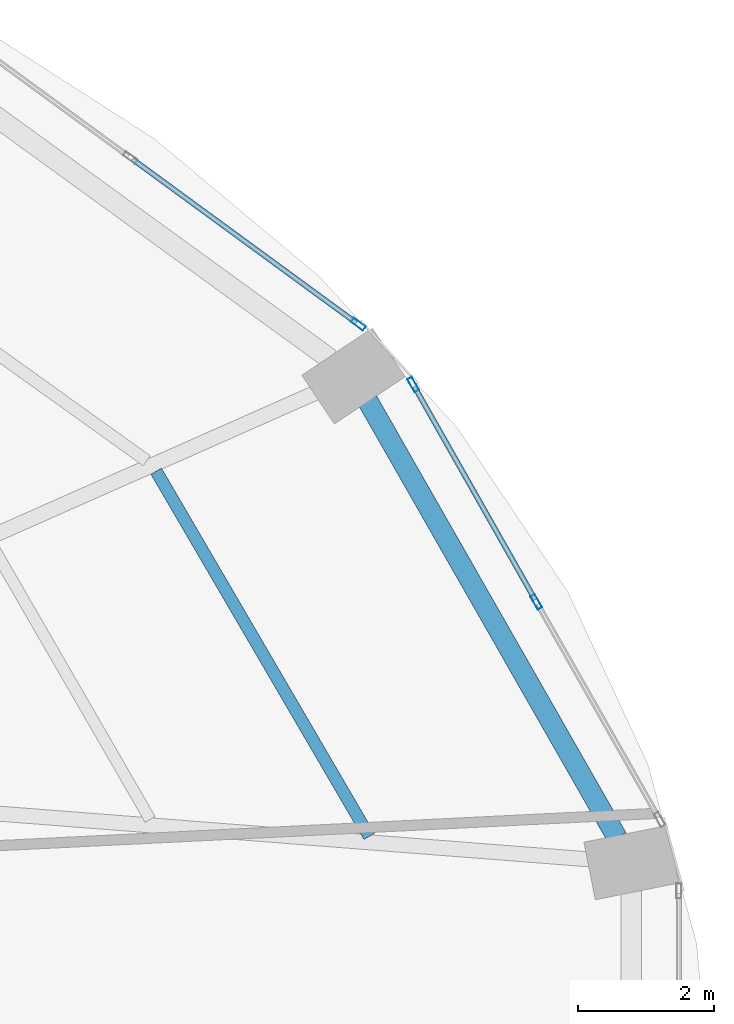
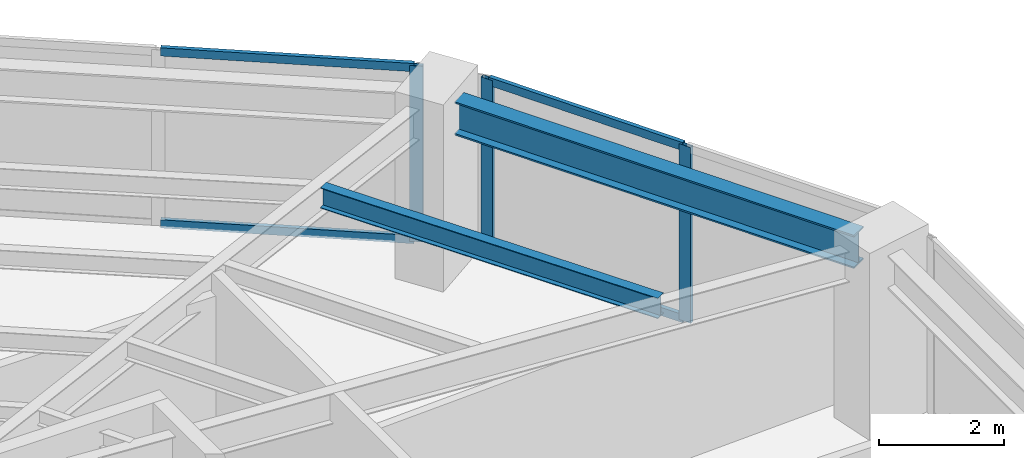
# One storey, part 18 of 24: 7 members, 2 beams, 2 elements without a shape of their own.
"""IFC4 building model written with IfcOpenShell, lengths in metres."""

from ifc_helpers import new_model, si_unit, direction, frame, origin, origin_2d, place, context, subcontext, project, spatial, hollow_rectangle, i_section, extrude, material, layer, layer_set, material_profile, profile_set, type_object, element, aggregate, save


model = new_model("IFC4")

# Units and contexts
model_context = context("Model", 3, precision=1e-05, world=origin(), true_north=direction((0.0, 1.0)))
body_context = subcontext(model_context, "Body", "Model", "MODEL_VIEW")
ifc_project = project(units=[si_unit("LENGTHUNIT", "METRE"), si_unit("AREAUNIT", "SQUARE_METRE"), si_unit("VOLUMEUNIT", "CUBIC_METRE"), si_unit("PLANEANGLEUNIT", "RADIAN"), si_unit("MASSUNIT", "GRAM", prefix="KILO")], contexts=[model_context])

# Site, building, storey
site_placement = place(None, origin())
site = spatial("IfcSite", under=ifc_project, at=site_placement, CompositionType="ELEMENT")
building_placement = place(site_placement, origin())
building = spatial("IfcBuilding", under=site, at=building_placement, Name="Lazwardi Medical Tower", CompositionType="ELEMENT")
storey_placement = place(building_placement, frame((0.0, 0.0, 61.679931640625)))
storey = spatial("IfcBuildingStorey", under=building, at=storey_placement, Name="L15", CompositionType="ELEMENT", Elevation=61.679931640625)

# Beams
ifc_material_1 = material(Name="Steel S355", Category="steel")
ifc_material_profile_1 = material_profile(ifc_material_1, i_section(OverallWidth=0.300048828125, OverallDepth=0.64990234375, WebThickness=0.01611328125, FlangeThickness=0.031005859375, at=origin_2d()), Name="HEB 650")
ifc_profile_set_1 = profile_set([ifc_material_profile_1], Name="Steel S355")
beam_type_1 = type_object("IfcBeamType", Name="BM-RB-Z1", PredefinedType="BEAM", material=ifc_profile_set_1)
beam_1_placement = place(storey_placement, frame((62.591796875, 34.63232421875, 3.10302734375), z_axis=(-0.49581512241, 0.868428099724, 0.0), x_axis=(-0.868428099724, -0.49581512241, 0.0)))
element("IfcBeam", 1, at=beam_1_placement, inside=storey, type_object=beam_type_1, Name="Ring beam RB-02 B05 L15", PredefinedType="BEAM", context=body_context, shape_type="SweptSolid", body=[
    extrude(i_section(OverallWidth=0.300048828125, OverallDepth=0.64990234375, WebThickness=0.01611328125, FlangeThickness=0.031005859375, at=origin_2d()), origin(), (0.0, 0.0, 1.0), 7.389404296875),
])
ifc_material_profile_2 = material_profile(ifc_material_1, i_section(OverallWidth=0.179931640625, OverallDepth=0.39990234375, WebThickness=0.008544921875, FlangeThickness=0.013427734375, at=origin_2d()), Name="IPE 400")
ifc_profile_set_2 = profile_set([ifc_material_profile_2], Name="Steel S355")
beam_type_2 = type_object("IfcBeamType", Name="BM-SJ-01", PredefinedType="JOIST", material=ifc_profile_set_2)
beam_2_placement = place(storey_placement, frame((58.951171875, 34.65234375, 3.22802734375), z_axis=(-0.503846579557, 0.863793160582, 0.0), x_axis=(-0.863793160582, -0.503846579557, 0.0)))
element("IfcBeam", 2, at=beam_2_placement, inside=storey, type_object=beam_type_2, Name="Secondary joist SJ-01 R1 B05 L15", PredefinedType="JOIST", context=body_context, shape_type="SweptSolid", body=[
    extrude(i_section(OverallWidth=0.179931640625, OverallDepth=0.39990234375, WebThickness=0.008544921875, FlangeThickness=0.013427734375, at=origin_2d()), origin(), (0.0, 0.0, 1.0), 6.20947265625),
])

# Curtain wall, members
ifc_material_2 = material(Name="Anodised bronze aluminium and solar control glazing", Category="aluminium")
ifc_layer = layer(ifc_material_2, 0.199951171875)
ifc_layer_set = layer_set([ifc_layer], Name="Anodised bronze aluminium and solar control glazing")
curtain_wall_type = type_object("IfcCurtainWallType", Name="CW-SYS-02", PredefinedType="NOTDEFINED", material=ifc_layer_set)
curtain_wall_1_placement = place(storey_placement, origin())
curtain_wall_1 = element("IfcCurtainWall", 3, at=curtain_wall_1_placement, inside=storey, type_object=curtain_wall_type, Name="L15 Unitised bronze curtain wall CW-02", PredefinedType="NOTDEFINED")
ifc_material_3 = material(Name="Anodised bronze aluminium", Category="aluminium")
ifc_material_profile_3 = material_profile(ifc_material_3, hollow_rectangle(XDim=0.074951171875, YDim=0.219970703125, WallThickness=0.00390625, at=origin_2d()), Name="ALU-MULLION 220x75x4")
ifc_profile_set_3 = profile_set([ifc_material_profile_3], Name="Anodised bronze aluminium")
member_type_1 = type_object("IfcMemberType", Name="CW-MUL-01", PredefinedType="MULLION", material=ifc_profile_set_3)
member_1_placement = place(storey_placement, frame((61.4052734375, 38.095458984375, 0.0), z_axis=(0.0, 0.0, 1.0), x_axis=(-0.870111838823, -0.492854327303, 0.0)))
member_1 = element("IfcMember", 4, at=member_1_placement, type_object=member_type_1, Name="CW-02 mullion 2", PredefinedType="MULLION", context=body_context, shape_type="SweptSolid", body=[
    extrude(hollow_rectangle(XDim=0.074951171875, YDim=0.219970703125, WallThickness=0.00390625, at=origin_2d()), origin(), (0.0, 0.0, 1.0), 3.427978515625),
])
member_2_placement = place(storey_placement, frame((59.5966796875, 41.28857421875, 0.0), z_axis=(0.0, 0.0, 1.0), x_axis=(-0.870111838823, -0.492854327303, 0.0)))
member_2 = element("IfcMember", 5, at=member_2_placement, type_object=member_type_1, Name="CW-02 mullion 3", PredefinedType="MULLION", context=body_context, shape_type="SweptSolid", body=[
    extrude(hollow_rectangle(XDim=0.074951171875, YDim=0.219970703125, WallThickness=0.00390625, at=origin_2d()), origin(), (0.0, 0.0, 1.0), 3.427978515625),
])

# Curtain wall, member
curtain_wall_2_placement = place(storey_placement, origin())
curtain_wall_2 = element("IfcCurtainWall", 6, at=curtain_wall_2_placement, inside=storey, type_object=curtain_wall_type, Name="L15 Unitised bronze curtain wall CW-02", PredefinedType="NOTDEFINED")
member_3_placement = place(storey_placement, frame((58.790283203125, 42.172607421875, 0.0), z_axis=(0.0, 0.0, 1.0), x_axis=(-0.590289307341, -0.807191757663, 0.0)))
member_3 = element("IfcMember", 7, at=member_3_placement, type_object=member_type_1, Name="CW-02 mullion 1", PredefinedType="MULLION", context=body_context, shape_type="SweptSolid", body=[
    extrude(hollow_rectangle(XDim=0.074951171875, YDim=0.219970703125, WallThickness=0.00390625, at=origin_2d()), origin(), (0.0, 0.0, 1.0), 3.427978515625),
])

# Member
ifc_material_profile_4 = material_profile(ifc_material_3, hollow_rectangle(XDim=0.074951171875, YDim=0.159912109375, WallThickness=0.00390625, at=origin_2d()), Name="ALU-TRANSOM 160x75x4")
ifc_profile_set_4 = profile_set([ifc_material_profile_4], Name="Anodised bronze aluminium")
member_type_2 = type_object("IfcMemberType", Name="CW-TRN-01", PredefinedType="USERDEFINED", material=ifc_profile_set_4)
member_4_placement = place(storey_placement, frame((61.386962890625, 38.128173828125, 0.03759765625), z_axis=(-0.492880614687, 0.870096948429, 0.0), x_axis=(-0.870096948429, -0.492880614687, 0.0)))
member_4 = element("IfcMember", 8, at=member_4_placement, type_object=member_type_2, Name="CW-02 transom 2.1", ObjectType="TRANSOM", PredefinedType="USERDEFINED", context=body_context, shape_type="SweptSolid", body=[
    extrude(hollow_rectangle(XDim=0.074951171875, YDim=0.159912109375, WallThickness=0.00390625, at=origin_2d()), origin(), (0.0, 0.0, 1.0), 3.5947265625),
])

member_5_placement = place(storey_placement, frame((61.386962890625, 38.128173828125, 3.390625), z_axis=(-0.492880614687, 0.870096948429, 0.0), x_axis=(-0.870096948429, -0.492880614687, 0.0)))
member_5 = element("IfcMember", 9, at=member_5_placement, type_object=member_type_2, Name="CW-02 transom 2.2", ObjectType="TRANSOM", PredefinedType="USERDEFINED", context=body_context, shape_type="SweptSolid", body=[
    extrude(hollow_rectangle(XDim=0.074951171875, YDim=0.159912109375, WallThickness=0.00390625, at=origin_2d()), origin(), (0.0, 0.0, 1.0), 3.5947265625),
])

aggregate(curtain_wall_1, [member_1, member_2, member_4, member_5])

member_6_placement = place(storey_placement, frame((58.760009765625, 42.194580078125, 0.03759765625), z_axis=(-0.807189956199, 0.590291770748, 0.0), x_axis=(-0.590291770748, -0.807189956199, 0.0)))
member_6 = element("IfcMember", 10, at=member_6_placement, type_object=member_type_2, Name="CW-02 transom 1.1", ObjectType="TRANSOM", PredefinedType="USERDEFINED", context=body_context, shape_type="SweptSolid", body=[
    extrude(hollow_rectangle(XDim=0.074951171875, YDim=0.159912109375, WallThickness=0.00390625, at=origin_2d()), origin(), (0.0, 0.0, 1.0), 4.070068359375),
])

member_7_placement = place(storey_placement, frame((58.760009765625, 42.194580078125, 3.390625), z_axis=(-0.807189956199, 0.590291770748, 0.0), x_axis=(-0.590291770748, -0.807189956199, 0.0)))
member_7 = element("IfcMember", 11, at=member_7_placement, type_object=member_type_2, Name="CW-02 transom 1.2", ObjectType="TRANSOM", PredefinedType="USERDEFINED", context=body_context, shape_type="SweptSolid", body=[
    extrude(hollow_rectangle(XDim=0.074951171875, YDim=0.159912109375, WallThickness=0.00390625, at=origin_2d()), origin(), (0.0, 0.0, 1.0), 4.070068359375),
])

aggregate(curtain_wall_2, [member_3, member_6, member_7])

save(model, "model.ifc")
